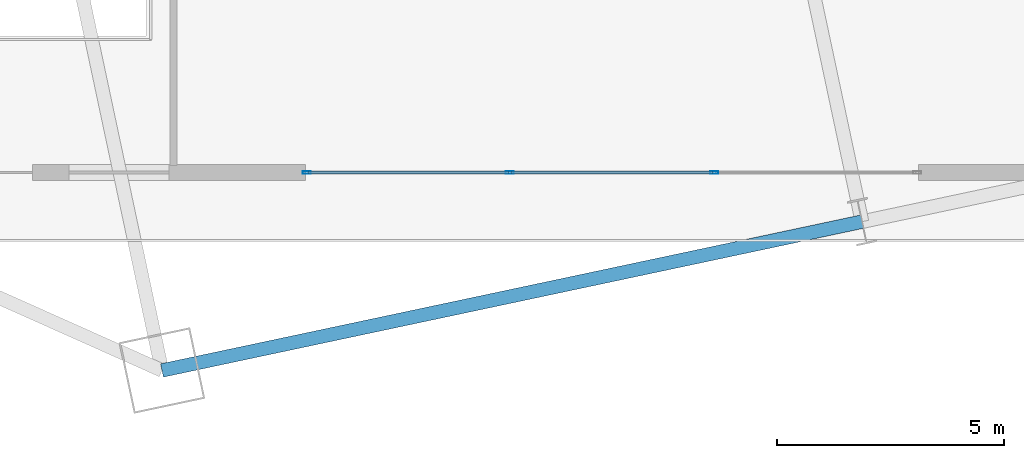
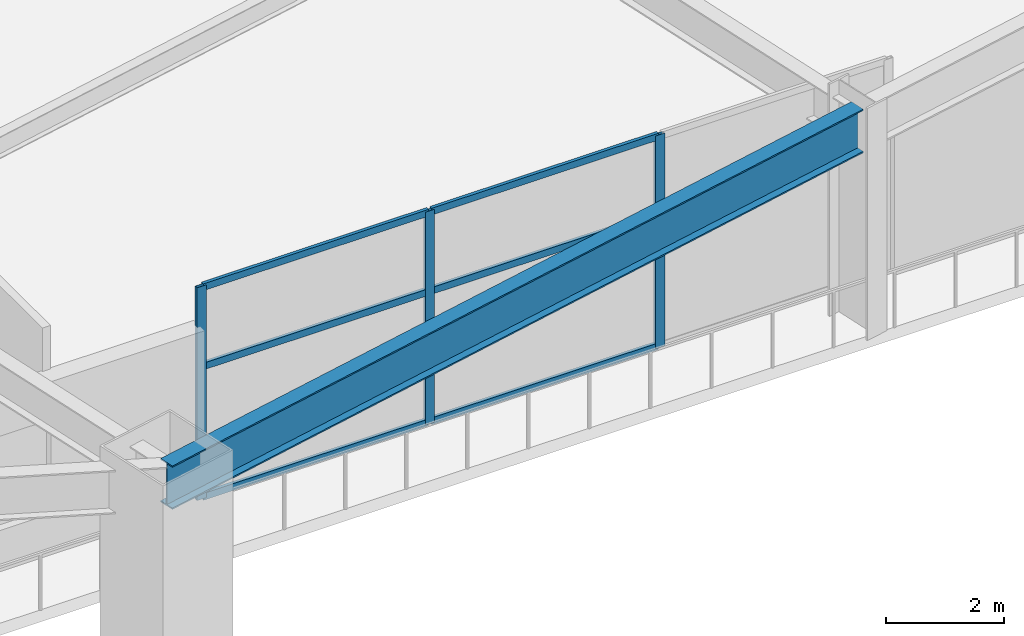
# One storey, part 8 of 28: 9 members, 1 beam, 1 element without a shape of its own.
"""IFC4 building model written with IfcOpenShell, lengths in metres."""

from ifc_helpers import new_model, si_unit, direction, frame, origin, origin_2d, place, context, subcontext, project, spatial, hollow_rectangle, i_section, extrude, material, layer, layer_set, material_profile, profile_set, type_object, element, aggregate, save


model = new_model("IFC4")

# Units and contexts
model_context = context("Model", 3, precision=1e-05, world=origin(), true_north=direction((0.0, 1.0)))
body_context = subcontext(model_context, "Body", "Model", "MODEL_VIEW")
ifc_project = project(units=[si_unit("LENGTHUNIT", "METRE"), si_unit("AREAUNIT", "SQUARE_METRE"), si_unit("VOLUMEUNIT", "CUBIC_METRE"), si_unit("PLANEANGLEUNIT", "RADIAN"), si_unit("MASSUNIT", "GRAM", prefix="KILO")], contexts=[model_context])

# Site, building, storey
site_placement = place(None, origin())
site = spatial("IfcSite", under=ifc_project, at=site_placement, CompositionType="ELEMENT")
building_placement = place(site_placement, origin())
building = spatial("IfcBuilding", under=site, at=building_placement, Name="Haevon Station Towers", CompositionType="ELEMENT")
storey_placement = place(building_placement, frame((0.0, 0.0, 10.800048828125)))
storey = spatial("IfcBuildingStorey", under=building, at=storey_placement, Name="L02", CompositionType="ELEMENT", Elevation=10.800048828125)

# Beam
ifc_material_1 = material(Name="Steel S355", Category="steel")
ifc_material_profile_1 = material_profile(ifc_material_1, i_section(OverallWidth=0.300048828125, OverallDepth=0.89990234375, WebThickness=0.01611328125, FlangeThickness=0.028076171875, at=origin_2d()), Name="H-900x300x16x28")
ifc_profile_set_1 = profile_set([ifc_material_profile_1], Name="Steel S355")
beam_type = type_object("IfcBeamType", Name="BM-PG900", PredefinedType="BEAM", material=ifc_profile_set_1)
beam_placement = place(storey_placement, frame((88.346923828125, 10.643310546875, 4.050048828125), z_axis=(0.978146794194, 0.207915485254, 0.0), x_axis=(-0.207915485254, 0.978146794194, 0.0)))
element("IfcBeam", 1, at=beam_placement, inside=storey, type_object=beam_type, Name="BM-T2U-L02-01-01", PredefinedType="BEAM", context=body_context, shape_type="SweptSolid", body=[
    extrude(i_section(OverallWidth=0.300048828125, OverallDepth=0.89990234375, WebThickness=0.01611328125, FlangeThickness=0.028076171875, at=origin_2d()), origin(), (0.0, 0.0, 1.0), 15.75),
])

# Curtain wall, members
ifc_material_2 = material(Name="Anodised aluminium and Low-E double glazing", Category="aluminium")
ifc_layer = layer(ifc_material_2, 0.179931640625)
ifc_layer_set = layer_set([ifc_layer], Name="Anodised aluminium and Low-E double glazing")
curtain_wall_type = type_object("IfcCurtainWallType", Name="CW-SYS1", PredefinedType="NOTDEFINED", material=ifc_layer_set)
curtain_wall_placement = place(storey_placement, origin())
curtain_wall = element("IfcCurtainWall", 2, at=curtain_wall_placement, inside=storey, type_object=curtain_wall_type, Name="L02 Curtain Wall CW-POD-L02-S1", PredefinedType="NOTDEFINED")
ifc_material_3 = material(Name="Anodised aluminium 6063-T6", Category="aluminium")
ifc_material_profile_2 = material_profile(ifc_material_3, hollow_rectangle(XDim=0.06494140625, YDim=0.179931640625, WallThickness=0.00390625, at=origin_2d()), Name="CWM-180x65x4")
ifc_profile_set_2 = profile_set([ifc_material_profile_2], Name="Anodised aluminium 6063-T6")
member_type_1 = type_object("IfcMemberType", Name="CWM-180", PredefinedType="MULLION", material=ifc_profile_set_2)
member_1_placement = place(storey_placement, frame((100.5, 15.0, 0.0), z_axis=(0.0, 0.0, 1.0), x_axis=(0.0, -1.0, 0.0)))
member_1 = element("IfcMember", 3, at=member_1_placement, type_object=member_type_1, Name="CW-SYS1 mullion 2", PredefinedType="MULLION", context=body_context, shape_type="SweptSolid", body=[
    extrude(hollow_rectangle(XDim=0.06494140625, YDim=0.179931640625, WallThickness=0.00390625, at=origin_2d()), origin(), (0.0, 0.0, 1.0), 4.39990234375),
])
member_2_placement = place(storey_placement, frame((96.0, 15.0, 0.0), z_axis=(0.0, 0.0, 1.0), x_axis=(0.0, -1.0, 0.0)))
member_2 = element("IfcMember", 4, at=member_2_placement, type_object=member_type_1, Name="CW-SYS1 mullion 3", PredefinedType="MULLION", context=body_context, shape_type="SweptSolid", body=[
    extrude(hollow_rectangle(XDim=0.06494140625, YDim=0.179931640625, WallThickness=0.00390625, at=origin_2d()), origin(), (0.0, 0.0, 1.0), 4.39990234375),
])
member_3_placement = place(storey_placement, frame((91.532470703125, 15.0, 0.0), z_axis=(0.0, 0.0, 1.0), x_axis=(0.0, -1.0, 0.0)))
member_3 = element("IfcMember", 5, at=member_3_placement, type_object=member_type_1, Name="CW-SYS1 mullion 4", PredefinedType="MULLION", context=body_context, shape_type="SweptSolid", body=[
    extrude(hollow_rectangle(XDim=0.06494140625, YDim=0.179931640625, WallThickness=0.00390625, at=origin_2d()), origin(), (0.0, 0.0, 1.0), 4.39990234375),
])
ifc_material_profile_3 = material_profile(ifc_material_3, hollow_rectangle(XDim=0.06494140625, YDim=0.139892578125, WallThickness=0.00341796875, at=origin_2d()), Name="CWT-140x65x3.5")
ifc_profile_set_3 = profile_set([ifc_material_profile_3], Name="Anodised aluminium 6063-T6")
member_type_2 = type_object("IfcMemberType", Name="CWT-140", PredefinedType="USERDEFINED", material=ifc_profile_set_3)
member_4_placement = place(storey_placement, frame((100.467529296875, 15.0, 0.032470703125), z_axis=(-1.0, 0.0, 0.0), x_axis=(0.0, -1.0, 0.0)))
member_4 = element("IfcMember", 6, at=member_4_placement, type_object=member_type_2, Name="CW-SYS1 transom 2.1", ObjectType="TRANSOM", PredefinedType="USERDEFINED", context=body_context, shape_type="SweptSolid", body=[
    extrude(hollow_rectangle(XDim=0.06494140625, YDim=0.139892578125, WallThickness=0.00341796875, at=origin_2d()), origin(), (0.0, 0.0, 1.0), 4.43505859375),
])
member_5_placement = place(storey_placement, frame((100.467529296875, 15.0, 2.72802734375), z_axis=(-1.0, 0.0, 0.0), x_axis=(0.0, -1.0, 0.0)))
member_5 = element("IfcMember", 7, at=member_5_placement, type_object=member_type_2, Name="CW-SYS1 transom 2.2", ObjectType="TRANSOM", PredefinedType="USERDEFINED", context=body_context, shape_type="SweptSolid", body=[
    extrude(hollow_rectangle(XDim=0.06494140625, YDim=0.139892578125, WallThickness=0.00341796875, at=origin_2d()), origin(), (0.0, 0.0, 1.0), 4.43505859375),
])
member_6_placement = place(storey_placement, frame((100.467529296875, 15.0, 4.367431640625), z_axis=(-1.0, 0.0, 0.0), x_axis=(0.0, -1.0, 0.0)))
member_6 = element("IfcMember", 8, at=member_6_placement, type_object=member_type_2, Name="CW-SYS1 transom 2.3", ObjectType="TRANSOM", PredefinedType="USERDEFINED", context=body_context, shape_type="SweptSolid", body=[
    extrude(hollow_rectangle(XDim=0.06494140625, YDim=0.139892578125, WallThickness=0.00341796875, at=origin_2d()), origin(), (0.0, 0.0, 1.0), 4.43505859375),
])
member_7_placement = place(storey_placement, frame((95.967529296875, 15.0, 0.032470703125), z_axis=(-1.0, 0.0, 0.0), x_axis=(0.0, -1.0, 0.0)))
member_7 = element("IfcMember", 9, at=member_7_placement, type_object=member_type_2, Name="CW-SYS1 transom 3.1", ObjectType="TRANSOM", PredefinedType="USERDEFINED", context=body_context, shape_type="SweptSolid", body=[
    extrude(hollow_rectangle(XDim=0.06494140625, YDim=0.139892578125, WallThickness=0.00341796875, at=origin_2d()), origin(), (0.0, 0.0, 1.0), 4.402587890625),
])
member_8_placement = place(storey_placement, frame((95.967529296875, 15.0, 2.72802734375), z_axis=(-1.0, 0.0, 0.0), x_axis=(0.0, -1.0, 0.0)))
member_8 = element("IfcMember", 10, at=member_8_placement, type_object=member_type_2, Name="CW-SYS1 transom 3.2", ObjectType="TRANSOM", PredefinedType="USERDEFINED", context=body_context, shape_type="SweptSolid", body=[
    extrude(hollow_rectangle(XDim=0.06494140625, YDim=0.139892578125, WallThickness=0.00341796875, at=origin_2d()), origin(), (0.0, 0.0, 1.0), 4.402587890625),
])
member_9_placement = place(storey_placement, frame((95.967529296875, 15.0, 4.367431640625), z_axis=(-1.0, 0.0, 0.0), x_axis=(0.0, -1.0, 0.0)))
member_9 = element("IfcMember", 11, at=member_9_placement, type_object=member_type_2, Name="CW-SYS1 transom 3.3", ObjectType="TRANSOM", PredefinedType="USERDEFINED", context=body_context, shape_type="SweptSolid", body=[
    extrude(hollow_rectangle(XDim=0.06494140625, YDim=0.139892578125, WallThickness=0.00341796875, at=origin_2d()), origin(), (0.0, 0.0, 1.0), 4.402587890625),
])
aggregate(curtain_wall, [member_1, member_2, member_3, member_4, member_5, member_6, member_7, member_8, member_9])

save(model, "model.ifc")
